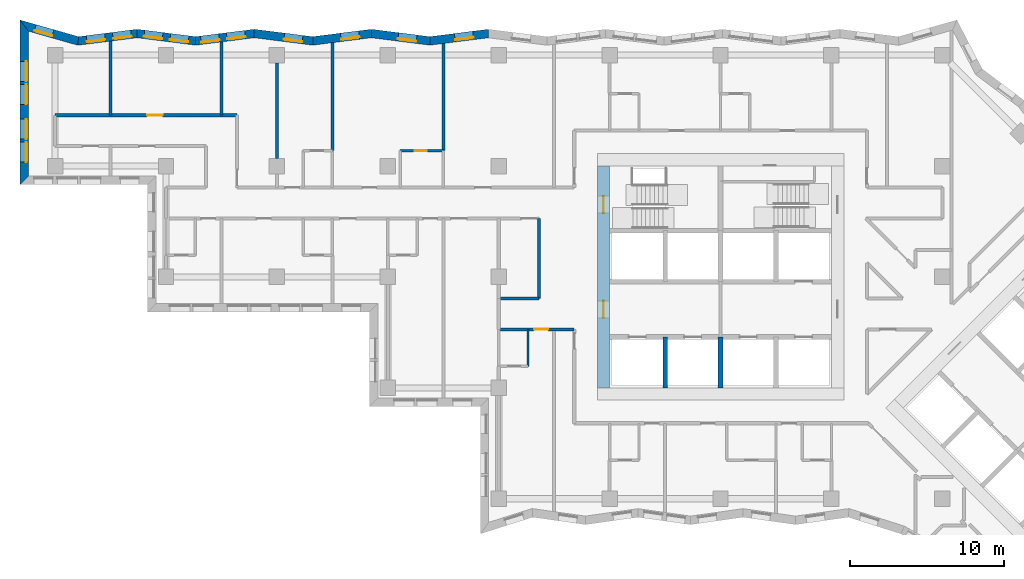
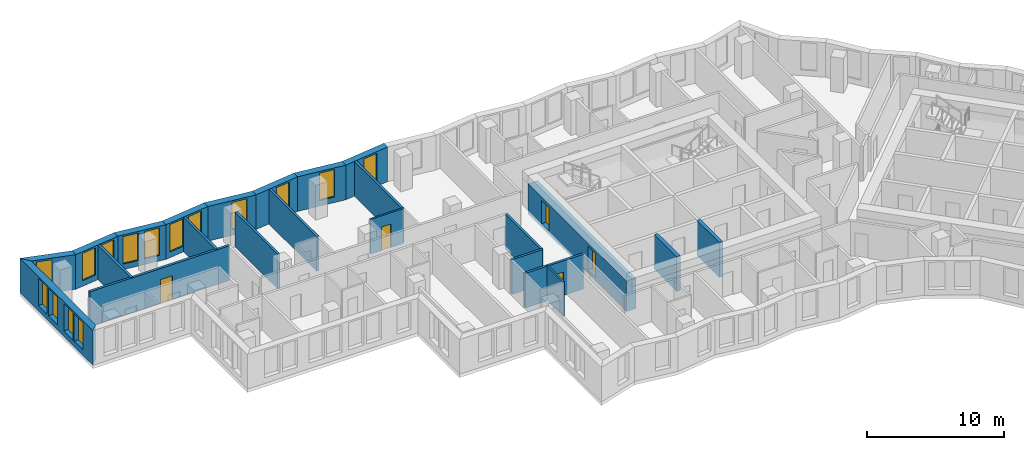
# One storey, part 5 of 13: 23 walls, 15 windows, 5 doors, 20 openings.
"""IFC4 building model written with IfcOpenShell, lengths in metres."""

from ifc_helpers import new_model, si_unit, direction, frame, frame_2d, origin, place, context, subcontext, project, spatial, polyline, rectangle, outline, extrude, material, layer, layer_set, type_object, element, fill, save


model = new_model("IFC4")

# Units and contexts
model_context = context("Model", 3, precision=1e-05, world=origin(), true_north=direction((0.0, 1.0)))
body_context = subcontext(model_context, "Body", "Model", "MODEL_VIEW")
ifc_project = project(units=[si_unit("LENGTHUNIT", "METRE"), si_unit("AREAUNIT", "SQUARE_METRE"), si_unit("VOLUMEUNIT", "CUBIC_METRE"), si_unit("PLANEANGLEUNIT", "RADIAN"), si_unit("MASSUNIT", "GRAM", prefix="KILO")], contexts=[model_context])

# Site, building, storey
site_placement = place(None, origin())
site = spatial("IfcSite", under=ifc_project, at=site_placement, CompositionType="ELEMENT")
building_placement = place(site_placement, origin())
building = spatial("IfcBuilding", under=site, at=building_placement, Name="Windrow Commons", CompositionType="ELEMENT")
storey_placement = place(building_placement, frame((0.0, 0.0, 101.6)))
storey = spatial("IfcBuildingStorey", under=building, at=storey_placement, Name="L27", CompositionType="ELEMENT", Elevation=101.6)

# Wall, opening, window
ifc_material_1 = material(Name="Brick masonry, red clay brick", Category="masonry")
ifc_layer_1 = layer(ifc_material_1, 0.55)
ifc_layer_set_1 = layer_set([ifc_layer_1], Name="Brick facade wall 550")
wall_type_1 = type_object("IfcWallType", Name="Brick facade wall 550", PredefinedType="SOLIDWALL", material=ifc_layer_set_1)
wall_1_placement = place(storey_placement, frame((49.7316, 73.4048, 0.0), z_axis=(0.0, 0.0, 1.0), x_axis=(-0.9920583495, -0.1257785003, 0.0)))
wall_1 = element("IfcWall", 1, at=wall_1_placement, inside=storey, type_object=wall_type_1, Name="Brick facade wall L27 29", PredefinedType="SOLIDWALL", context=body_context, shape_type="SweptSolid", body=[
    extrude(outline(polyline([(-0.0349, -0.275), (3.7973, -0.275), (3.867, 0.275), (0.0349, 0.275), (-0.0349, -0.275)])), origin(), (0.0, 0.0, 1.0), 3.1),
])
opening_1_placement = place(wall_1_placement, frame((0.995, 0.0, 0.5)))
opening_1 = element("IfcOpeningElement", 2, at=opening_1_placement, cuts=wall_1, Name="Opening W7D", PredefinedType="OPENING", context=body_context, shape_type="SweptSolid", body=[
    extrude(rectangle(XDim=1.2, YDim=2.45, at=frame_2d((0.6, 1.225))), frame((0.0, 0.285, 0.0), z_axis=(0.0, -1.0, 0.0), x_axis=(1.0, 0.0, 0.0)), (0.0, 0.0, 1.0), 0.57),
])
ifc_material_2 = material(Name="Clear float glass in anodised aluminium frame", Category="aluminium")
window_type_1 = type_object("IfcWindowType", Name="Window W7 notch 1200x2450", PartitioningType="SINGLE_PANEL", PredefinedType="WINDOW", material=ifc_material_2)
window_1_placement = place(opening_1_placement, origin())
window_1 = element("IfcWindow", 3, at=window_1_placement, inside=storey, type_object=window_type_1, Name="Window L27 29.1", OverallHeight=2.45, OverallWidth=1.2, PartitioningType="SINGLE_PANEL", PredefinedType="WINDOW", context=body_context, shape_type="SweptSolid", body=[
    extrude(rectangle(XDim=1.2, YDim=2.45, at=frame_2d((0.6, 1.225))), frame((0.0, 0.155, 0.0), z_axis=(0.0, -1.0, 0.0), x_axis=(1.0, 0.0, 0.0)), (0.0, 0.0, 1.0), 0.06),
])
fill(opening_1, window_1)

wall_2_placement = place(storey_placement, frame((45.9299, 72.9228, 0.0), z_axis=(0.0, 0.0, 1.0), x_axis=(-0.9920583495, 0.1257785003, 0.0)))
wall_2 = element("IfcWall", 4, at=wall_2_placement, inside=storey, type_object=wall_type_1, Name="Brick facade wall L27 30", PredefinedType="SOLIDWALL", context=body_context, shape_type="SweptSolid", body=[
    extrude(outline(polyline([(0.0349, -0.275), (3.867, -0.275), (3.7973, 0.275), (-0.0349, 0.275), (0.0349, -0.275)])), origin(), (0.0, 0.0, 1.0), 3.1),
])
opening_2_placement = place(wall_2_placement, frame((0.8759, 0.0, 0.5)))
opening_2 = element("IfcOpeningElement", 5, at=opening_2_placement, cuts=wall_2, Name="Opening W7D", PredefinedType="OPENING", context=body_context, shape_type="SweptSolid", body=[
    extrude(rectangle(XDim=1.2, YDim=2.45, at=frame_2d((0.6, 1.225))), frame((0.0, 0.285, 0.0), z_axis=(0.0, -1.0, 0.0), x_axis=(1.0, 0.0, 0.0)), (0.0, 0.0, 1.0), 0.57),
])
window_2_placement = place(opening_2_placement, origin())
window_2 = element("IfcWindow", 6, at=window_2_placement, inside=storey, type_object=window_type_1, Name="Window L27 30.1", OverallHeight=2.45, OverallWidth=1.2, PartitioningType="SINGLE_PANEL", PredefinedType="WINDOW", context=body_context, shape_type="SweptSolid", body=[
    extrude(rectangle(XDim=1.2, YDim=2.45, at=frame_2d((0.6, 1.225))), frame((0.0, 0.155, 0.0), z_axis=(0.0, -1.0, 0.0), x_axis=(1.0, 0.0, 0.0)), (0.0, 0.0, 1.0), 0.06),
])
fill(opening_2, window_2)

wall_3_placement = place(storey_placement, frame((42.1282, 73.4048, 0.0), z_axis=(0.0, 0.0, 1.0), x_axis=(-0.9920583495, -0.1257785003, 0.0)))
wall_3 = element("IfcWall", 7, at=wall_3_placement, inside=storey, type_object=wall_type_1, Name="Brick facade wall L27 31", PredefinedType="SOLIDWALL", context=body_context, shape_type="SweptSolid", body=[
    extrude(outline(polyline([(-0.0349, -0.275), (3.7973, -0.275), (3.867, 0.275), (0.0349, 0.275), (-0.0349, -0.275)])), origin(), (0.0, 0.0, 1.0), 3.1),
])
opening_3_placement = place(wall_3_placement, frame((0.7917, 0.0, 0.5)))
opening_3 = element("IfcOpeningElement", 8, at=opening_3_placement, cuts=wall_3, Name="Opening W7D", PredefinedType="OPENING", context=body_context, shape_type="SweptSolid", body=[
    extrude(rectangle(XDim=1.2, YDim=2.45, at=frame_2d((0.6, 1.225))), frame((0.0, 0.285, 0.0), z_axis=(0.0, -1.0, 0.0), x_axis=(1.0, 0.0, 0.0)), (0.0, 0.0, 1.0), 0.57),
])
window_3_placement = place(opening_3_placement, origin())
window_3 = element("IfcWindow", 9, at=window_3_placement, inside=storey, type_object=window_type_1, Name="Window L27 31.1", OverallHeight=2.45, OverallWidth=1.2, PartitioningType="SINGLE_PANEL", PredefinedType="WINDOW", context=body_context, shape_type="SweptSolid", body=[
    extrude(rectangle(XDim=1.2, YDim=2.45, at=frame_2d((0.6, 1.225))), frame((0.0, 0.155, 0.0), z_axis=(0.0, -1.0, 0.0), x_axis=(1.0, 0.0, 0.0)), (0.0, 0.0, 1.0), 0.06),
])
fill(opening_3, window_3)

wall_4_placement = place(storey_placement, frame((38.3265, 72.9228, 0.0), z_axis=(0.0, 0.0, 1.0), x_axis=(-0.9920583495, 0.1257785003, 0.0)))
wall_4 = element("IfcWall", 10, at=wall_4_placement, inside=storey, type_object=wall_type_1, Name="Brick facade wall L27 32", PredefinedType="SOLIDWALL", context=body_context, shape_type="SweptSolid", body=[
    extrude(outline(polyline([(0.0349, -0.275), (3.867, -0.275), (3.7973, 0.275), (-0.0349, 0.275), (0.0349, -0.275)])), origin(), (0.0, 0.0, 1.0), 3.1),
])
opening_4_placement = place(wall_4_placement, frame((0.6726, 0.0, 0.5)))
opening_4 = element("IfcOpeningElement", 11, at=opening_4_placement, cuts=wall_4, Name="Opening W7D", PredefinedType="OPENING", context=body_context, shape_type="SweptSolid", body=[
    extrude(rectangle(XDim=1.2, YDim=2.45, at=frame_2d((0.6, 1.225))), frame((0.0, 0.285, 0.0), z_axis=(0.0, -1.0, 0.0), x_axis=(1.0, 0.0, 0.0)), (0.0, 0.0, 1.0), 0.57),
])
window_4_placement = place(opening_4_placement, origin())
window_4 = element("IfcWindow", 12, at=window_4_placement, inside=storey, type_object=window_type_1, Name="Window L27 32.1", OverallHeight=2.45, OverallWidth=1.2, PartitioningType="SINGLE_PANEL", PredefinedType="WINDOW", context=body_context, shape_type="SweptSolid", body=[
    extrude(rectangle(XDim=1.2, YDim=2.45, at=frame_2d((0.6, 1.225))), frame((0.0, 0.155, 0.0), z_axis=(0.0, -1.0, 0.0), x_axis=(1.0, 0.0, 0.0)), (0.0, 0.0, 1.0), 0.06),
])
fill(opening_4, window_4)

# Wall, openings, windows
wall_5_placement = place(storey_placement, frame((34.5248, 73.4048, 0.0), z_axis=(0.0, 0.0, 1.0), x_axis=(-0.9920583495, -0.1257785003, 0.0)))
wall_5 = element("IfcWall", 13, at=wall_5_placement, inside=storey, type_object=wall_type_1, Name="Brick facade wall L27 33", PredefinedType="SOLIDWALL", context=body_context, shape_type="SweptSolid", body=[
    extrude(outline(polyline([(-0.0349, -0.275), (3.7973, -0.275), (3.867, 0.275), (0.0349, 0.275), (-0.0349, -0.275)])), origin(), (0.0, 0.0, 1.0), 3.1),
])
opening_5_placement = place(wall_5_placement, frame((0.5883, 0.0, 0.5)))
opening_5 = element("IfcOpeningElement", 14, at=opening_5_placement, cuts=wall_5, Name="Opening W7D", PredefinedType="OPENING", context=body_context, shape_type="SweptSolid", body=[
    extrude(rectangle(XDim=1.2, YDim=2.45, at=frame_2d((0.6, 1.225))), frame((0.0, 0.285, 0.0), z_axis=(0.0, -1.0, 0.0), x_axis=(1.0, 0.0, 0.0)), (0.0, 0.0, 1.0), 0.57),
])
opening_6_placement = place(wall_5_placement, frame((2.287, 0.0, 0.5)))
opening_6 = element("IfcOpeningElement", 15, at=opening_6_placement, cuts=wall_5, Name="Opening W7D", PredefinedType="OPENING", context=body_context, shape_type="SweptSolid", body=[
    extrude(rectangle(XDim=1.2, YDim=2.45, at=frame_2d((0.6, 1.225))), frame((0.0, 0.285, 0.0), z_axis=(0.0, -1.0, 0.0), x_axis=(1.0, 0.0, 0.0)), (0.0, 0.0, 1.0), 0.57),
])
window_5_placement = place(opening_5_placement, origin())
window_5 = element("IfcWindow", 16, at=window_5_placement, inside=storey, type_object=window_type_1, Name="Window L27 33.1", OverallHeight=2.45, OverallWidth=1.2, PartitioningType="SINGLE_PANEL", PredefinedType="WINDOW", context=body_context, shape_type="SweptSolid", body=[
    extrude(rectangle(XDim=1.2, YDim=2.45, at=frame_2d((0.6, 1.225))), frame((0.0, 0.155, 0.0), z_axis=(0.0, -1.0, 0.0), x_axis=(1.0, 0.0, 0.0)), (0.0, 0.0, 1.0), 0.06),
])
fill(opening_5, window_5)
window_6_placement = place(opening_6_placement, origin())
window_6 = element("IfcWindow", 17, at=window_6_placement, inside=storey, type_object=window_type_1, Name="Window L27 33.2", OverallHeight=2.45, OverallWidth=1.2, PartitioningType="SINGLE_PANEL", PredefinedType="WINDOW", context=body_context, shape_type="SweptSolid", body=[
    extrude(rectangle(XDim=1.2, YDim=2.45, at=frame_2d((0.6, 1.225))), frame((0.0, 0.155, 0.0), z_axis=(0.0, -1.0, 0.0), x_axis=(1.0, 0.0, 0.0)), (0.0, 0.0, 1.0), 0.06),
])
fill(opening_6, window_6)

wall_6_placement = place(storey_placement, frame((30.7231, 72.9228, 0.0), z_axis=(0.0, 0.0, 1.0), x_axis=(-0.9920583495, 0.1257785003, 0.0)))
wall_6 = element("IfcWall", 18, at=wall_6_placement, inside=storey, type_object=wall_type_1, Name="Brick facade wall L27 34", PredefinedType="SOLIDWALL", context=body_context, shape_type="SweptSolid", body=[
    extrude(outline(polyline([(0.0349, -0.275), (3.867, -0.275), (3.7973, 0.275), (-0.0349, 0.275), (0.0349, -0.275)])), origin(), (0.0, 0.0, 1.0), 3.1),
])
opening_7_placement = place(wall_6_placement, frame((0.4693, 0.0, 0.5)))
opening_7 = element("IfcOpeningElement", 19, at=opening_7_placement, cuts=wall_6, Name="Opening W7D", PredefinedType="OPENING", context=body_context, shape_type="SweptSolid", body=[
    extrude(rectangle(XDim=1.2, YDim=2.45, at=frame_2d((0.6, 1.225))), frame((0.0, 0.285, 0.0), z_axis=(0.0, -1.0, 0.0), x_axis=(1.0, 0.0, 0.0)), (0.0, 0.0, 1.0), 0.57),
])
opening_8_placement = place(wall_6_placement, frame((2.1679, 0.0, 0.5)))
opening_8 = element("IfcOpeningElement", 20, at=opening_8_placement, cuts=wall_6, Name="Opening W7D", PredefinedType="OPENING", context=body_context, shape_type="SweptSolid", body=[
    extrude(rectangle(XDim=1.2, YDim=2.45, at=frame_2d((0.6, 1.225))), frame((0.0, 0.285, 0.0), z_axis=(0.0, -1.0, 0.0), x_axis=(1.0, 0.0, 0.0)), (0.0, 0.0, 1.0), 0.57),
])
window_7_placement = place(opening_7_placement, origin())
window_7 = element("IfcWindow", 21, at=window_7_placement, inside=storey, type_object=window_type_1, Name="Window L27 34.1", OverallHeight=2.45, OverallWidth=1.2, PartitioningType="SINGLE_PANEL", PredefinedType="WINDOW", context=body_context, shape_type="SweptSolid", body=[
    extrude(rectangle(XDim=1.2, YDim=2.45, at=frame_2d((0.6, 1.225))), frame((0.0, 0.155, 0.0), z_axis=(0.0, -1.0, 0.0), x_axis=(1.0, 0.0, 0.0)), (0.0, 0.0, 1.0), 0.06),
])
fill(opening_7, window_7)
window_8_placement = place(opening_8_placement, origin())
window_8 = element("IfcWindow", 22, at=window_8_placement, inside=storey, type_object=window_type_1, Name="Window L27 34.2", OverallHeight=2.45, OverallWidth=1.2, PartitioningType="SINGLE_PANEL", PredefinedType="WINDOW", context=body_context, shape_type="SweptSolid", body=[
    extrude(rectangle(XDim=1.2, YDim=2.45, at=frame_2d((0.6, 1.225))), frame((0.0, 0.155, 0.0), z_axis=(0.0, -1.0, 0.0), x_axis=(1.0, 0.0, 0.0)), (0.0, 0.0, 1.0), 0.06),
])
fill(opening_8, window_8)

wall_7_placement = place(storey_placement, frame((26.9214, 73.4048, 0.0), z_axis=(0.0, 0.0, 1.0), x_axis=(-0.9920579561, -0.1257816033, 0.0)))
wall_7 = element("IfcWall", 23, at=wall_7_placement, inside=storey, type_object=wall_type_1, Name="Brick facade wall L27 35", PredefinedType="SOLIDWALL", context=body_context, shape_type="SweptSolid", body=[
    extrude(outline(polyline([(-0.0349, -0.275), (3.7973, -0.275), (3.9097, 0.275), (0.0349, 0.275), (-0.0349, -0.275)])), origin(), (0.0, 0.0, 1.0), 3.1),
])
opening_9_placement = place(wall_7_placement, frame((0.385, 0.0, 0.5)))
opening_9 = element("IfcOpeningElement", 24, at=opening_9_placement, cuts=wall_7, Name="Opening W7D", PredefinedType="OPENING", context=body_context, shape_type="SweptSolid", body=[
    extrude(rectangle(XDim=1.2, YDim=2.45, at=frame_2d((0.6, 1.225))), frame((0.0, 0.285, 0.0), z_axis=(0.0, -1.0, 0.0), x_axis=(1.0, 0.0, 0.0)), (0.0, 0.0, 1.0), 0.57),
])
opening_10_placement = place(wall_7_placement, frame((2.0943, 0.0, 0.5)))
opening_10 = element("IfcOpeningElement", 25, at=opening_10_placement, cuts=wall_7, Name="Opening W7D", PredefinedType="OPENING", context=body_context, shape_type="SweptSolid", body=[
    extrude(rectangle(XDim=1.2, YDim=2.45, at=frame_2d((0.6, 1.225))), frame((0.0, 0.285, 0.0), z_axis=(0.0, -1.0, 0.0), x_axis=(1.0, 0.0, 0.0)), (0.0, 0.0, 1.0), 0.57),
])
window_9_placement = place(opening_9_placement, origin())
window_9 = element("IfcWindow", 26, at=window_9_placement, inside=storey, type_object=window_type_1, Name="Window L27 35.1", OverallHeight=2.45, OverallWidth=1.2, PartitioningType="SINGLE_PANEL", PredefinedType="WINDOW", context=body_context, shape_type="SweptSolid", body=[
    extrude(rectangle(XDim=1.2, YDim=2.45, at=frame_2d((0.6, 1.225))), frame((0.0, 0.155, 0.0), z_axis=(0.0, -1.0, 0.0), x_axis=(1.0, 0.0, 0.0)), (0.0, 0.0, 1.0), 0.06),
])
fill(opening_9, window_9)
window_10_placement = place(opening_10_placement, origin())
window_10 = element("IfcWindow", 27, at=window_10_placement, inside=storey, type_object=window_type_1, Name="Window L27 35.2", OverallHeight=2.45, OverallWidth=1.2, PartitioningType="SINGLE_PANEL", PredefinedType="WINDOW", context=body_context, shape_type="SweptSolid", body=[
    extrude(rectangle(XDim=1.2, YDim=2.45, at=frame_2d((0.6, 1.225))), frame((0.0, 0.155, 0.0), z_axis=(0.0, -1.0, 0.0), x_axis=(1.0, 0.0, 0.0)), (0.0, 0.0, 1.0), 0.06),
])
fill(opening_10, window_10)

# Wall, opening, window
wall_8_placement = place(storey_placement, frame((23.0985, 72.9201, 0.0), z_axis=(0.0, 0.0, 1.0), x_axis=(-0.9618040283, 0.2737389471, 0.0)))
wall_8 = element("IfcWall", 28, at=wall_8_placement, inside=storey, type_object=wall_type_1, Name="Brick facade wall L27 36", PredefinedType="SOLIDWALL", context=body_context, shape_type="SweptSolid", body=[
    extrude(outline(polyline([(0.0562, -0.275), (4.0089, -0.275), (3.2805, 0.275), (-0.0562, 0.275), (0.0562, -0.275)])), origin(), (0.0, 0.0, 1.0), 3.1),
])
opening_11_placement = place(wall_8_placement, frame((1.7193, 0.0, 0.5)))
opening_11 = element("IfcOpeningElement", 29, at=opening_11_placement, cuts=wall_8, Name="Opening W7D", PredefinedType="OPENING", context=body_context, shape_type="SweptSolid", body=[
    extrude(rectangle(XDim=1.2, YDim=2.45, at=frame_2d((0.6, 1.225))), frame((0.0, 0.285, 0.0), z_axis=(0.0, -1.0, 0.0), x_axis=(1.0, 0.0, 0.0)), (0.0, 0.0, 1.0), 0.57),
])
window_11_placement = place(opening_11_placement, origin())
window_11 = element("IfcWindow", 30, at=window_11_placement, inside=storey, type_object=window_type_1, Name="Window L27 36.1", OverallHeight=2.45, OverallWidth=1.2, PartitioningType="SINGLE_PANEL", PredefinedType="WINDOW", context=body_context, shape_type="SweptSolid", body=[
    extrude(rectangle(XDim=1.2, YDim=2.45, at=frame_2d((0.6, 1.225))), frame((0.0, 0.155, 0.0), z_axis=(0.0, -1.0, 0.0), x_axis=(1.0, 0.0, 0.0)), (0.0, 0.0, 1.0), 0.06),
])
fill(opening_11, window_11)

# Wall, openings, windows
wall_9_placement = place(storey_placement, frame((19.593, 73.9178, 0.0), z_axis=(0.0, 0.0, 1.0), x_axis=(0.0, -1.0, 0.0)))
wall_9 = element("IfcWall", 31, at=wall_9_placement, inside=storey, type_object=wall_type_1, Name="Brick facade wall L27 37", PredefinedType="SOLIDWALL", context=body_context, shape_type="SweptSolid", body=[
    extrude(outline(polyline([(-0.3642, -0.275), (10.3178, -0.275), (9.7678, 0.275), (0.3642, 0.275), (-0.3642, -0.275)])), origin(), (0.0, 0.0, 1.0), 3.1),
])
opening_12_placement = place(wall_9_placement, frame((2.3178, 0.0, 0.5)))
opening_12 = element("IfcOpeningElement", 32, at=opening_12_placement, cuts=wall_9, Name="Opening W1P", PredefinedType="OPENING", context=body_context, shape_type="SweptSolid", body=[
    extrude(rectangle(XDim=1.3, YDim=2.45, at=frame_2d((0.65, 1.225))), frame((0.0, 0.285, 0.0), z_axis=(0.0, -1.0, 0.0), x_axis=(1.0, 0.0, 0.0)), (0.0, 0.0, 1.0), 0.57),
])
opening_13_placement = place(wall_9_placement, frame((3.8178, 0.0, 0.5)))
opening_13 = element("IfcOpeningElement", 33, at=opening_13_placement, cuts=wall_9, Name="Opening W1P", PredefinedType="OPENING", context=body_context, shape_type="SweptSolid", body=[
    extrude(rectangle(XDim=1.3, YDim=2.45, at=frame_2d((0.65, 1.225))), frame((0.0, 0.285, 0.0), z_axis=(0.0, -1.0, 0.0), x_axis=(1.0, 0.0, 0.0)), (0.0, 0.0, 1.0), 0.57),
])
opening_14_placement = place(wall_9_placement, frame((6.0678, 0.0, 0.5)))
opening_14 = element("IfcOpeningElement", 34, at=opening_14_placement, cuts=wall_9, Name="Opening W1P", PredefinedType="OPENING", context=body_context, shape_type="SweptSolid", body=[
    extrude(rectangle(XDim=1.3, YDim=2.45, at=frame_2d((0.65, 1.225))), frame((0.0, 0.285, 0.0), z_axis=(0.0, -1.0, 0.0), x_axis=(1.0, 0.0, 0.0)), (0.0, 0.0, 1.0), 0.57),
])
opening_15_placement = place(wall_9_placement, frame((7.5678, 0.0, 0.5)))
opening_15 = element("IfcOpeningElement", 35, at=opening_15_placement, cuts=wall_9, Name="Opening W1P", PredefinedType="OPENING", context=body_context, shape_type="SweptSolid", body=[
    extrude(rectangle(XDim=1.3, YDim=2.45, at=frame_2d((0.65, 1.225))), frame((0.0, 0.285, 0.0), z_axis=(0.0, -1.0, 0.0), x_axis=(1.0, 0.0, 0.0)), (0.0, 0.0, 1.0), 0.57),
])
ifc_material_3 = material(Name="Clear float glass in anodised aluminium frame", Category="aluminium")
window_type_2 = type_object("IfcWindowType", Name="Window W1P pair 1300x2450", PartitioningType="SINGLE_PANEL", PredefinedType="WINDOW", material=ifc_material_3)
window_12_placement = place(opening_12_placement, origin())
window_12 = element("IfcWindow", 36, at=window_12_placement, inside=storey, type_object=window_type_2, Name="Window L27 37.1A", OverallHeight=2.45, OverallWidth=1.3, PartitioningType="SINGLE_PANEL", PredefinedType="WINDOW", context=body_context, shape_type="SweptSolid", body=[
    extrude(rectangle(XDim=1.3, YDim=2.45, at=frame_2d((0.65, 1.225))), frame((0.0, 0.155, 0.0), z_axis=(0.0, -1.0, 0.0), x_axis=(1.0, 0.0, 0.0)), (0.0, 0.0, 1.0), 0.06),
])
fill(opening_12, window_12)
window_13_placement = place(opening_13_placement, origin())
window_13 = element("IfcWindow", 37, at=window_13_placement, inside=storey, type_object=window_type_2, Name="Window L27 37.1B", OverallHeight=2.45, OverallWidth=1.3, PartitioningType="SINGLE_PANEL", PredefinedType="WINDOW", context=body_context, shape_type="SweptSolid", body=[
    extrude(rectangle(XDim=1.3, YDim=2.45, at=frame_2d((0.65, 1.225))), frame((0.0, 0.155, 0.0), z_axis=(0.0, -1.0, 0.0), x_axis=(1.0, 0.0, 0.0)), (0.0, 0.0, 1.0), 0.06),
])
fill(opening_13, window_13)
window_14_placement = place(opening_14_placement, origin())
window_14 = element("IfcWindow", 38, at=window_14_placement, inside=storey, type_object=window_type_2, Name="Window L27 37.2A", OverallHeight=2.45, OverallWidth=1.3, PartitioningType="SINGLE_PANEL", PredefinedType="WINDOW", context=body_context, shape_type="SweptSolid", body=[
    extrude(rectangle(XDim=1.3, YDim=2.45, at=frame_2d((0.65, 1.225))), frame((0.0, 0.155, 0.0), z_axis=(0.0, -1.0, 0.0), x_axis=(1.0, 0.0, 0.0)), (0.0, 0.0, 1.0), 0.06),
])
fill(opening_14, window_14)
window_15_placement = place(opening_15_placement, origin())
window_15 = element("IfcWindow", 39, at=window_15_placement, inside=storey, type_object=window_type_2, Name="Window L27 37.2B", OverallHeight=2.45, OverallWidth=1.3, PartitioningType="SINGLE_PANEL", PredefinedType="WINDOW", context=body_context, shape_type="SweptSolid", body=[
    extrude(rectangle(XDim=1.3, YDim=2.45, at=frame_2d((0.65, 1.225))), frame((0.0, 0.155, 0.0), z_axis=(0.0, -1.0, 0.0), x_axis=(1.0, 0.0, 0.0)), (0.0, 0.0, 1.0), 0.06),
])
fill(opening_15, window_15)

# Wall, opening, door
ifc_material_4 = material(Name="Blockwork partition", Category="masonry")
ifc_layer_2 = layer(ifc_material_4, 0.2)
ifc_layer_set_2 = layer_set([ifc_layer_2], Name="IW-CORRIDOR-200")
wall_type_2 = type_object("IfcWallType", Name="IW-CORRIDOR-200", PredefinedType="PARTITIONING", material=ifc_layer_set_2)
wall_10_placement = place(storey_placement, frame((21.602, 68.1, 0.0), z_axis=(0.0, 0.0, 1.0), x_axis=(1.0, 0.0, 0.0)))
wall_10 = element("IfcWall", 40, at=wall_10_placement, inside=storey, type_object=wall_type_2, Name="W-L27-W008", PredefinedType="PARTITIONING", context=body_context, shape_type="SweptSolid", body=[
    extrude(rectangle(XDim=11.798, YDim=0.2, at=frame_2d((5.899, 0.0))), origin(), (0.0, 0.0, 1.0), 3.1),
])
opening_16_placement = place(wall_10_placement, frame((5.9717, 0.0, 0.0)))
opening_16 = element("IfcOpeningElement", 41, at=opening_16_placement, cuts=wall_10, Name="Opening D310F", PredefinedType="OPENING", context=body_context, shape_type="SweptSolid", body=[
    extrude(rectangle(XDim=1.0, YDim=2.1, at=frame_2d((0.5, 1.05))), frame((0.0, 0.11, 0.0), z_axis=(0.0, -1.0, 0.0), x_axis=(1.0, 0.0, 0.0)), (0.0, 0.0, 1.0), 0.22),
])
ifc_material_5 = material(Name="Timber door leaf", Category="wood")
door_type_1 = type_object("IfcDoorType", Name="DT-AMENITY-1000", OperationType="SINGLE_SWING_LEFT", PredefinedType="DOOR", material=ifc_material_5)
door_1_placement = place(opening_16_placement, origin())
door_1 = element("IfcDoor", 42, at=door_1_placement, inside=storey, type_object=door_type_1, Name="D-L27-D003", OperationType="SINGLE_SWING_LEFT", OverallHeight=2.1, OverallWidth=1.0, PredefinedType="DOOR", context=body_context, shape_type="SweptSolid", body=[
    extrude(rectangle(XDim=1.0, YDim=2.1, at=frame_2d((0.5, 1.05))), frame((0.0, 0.025, 0.0), z_axis=(0.0, -1.0, 0.0), x_axis=(1.0, 0.0, 0.0)), (0.0, 0.0, 1.0), 0.05),
])
fill(opening_16, door_1)

# Wall
wall_11_placement = place(storey_placement, frame((53.0, 56.202, 0.0), z_axis=(0.0, 0.0, 1.0), x_axis=(0.0, 1.0, 0.0)))
element("IfcWall", 43, at=wall_11_placement, inside=storey, type_object=wall_type_2, Name="W-L27-W037", PredefinedType="PARTITIONING", context=body_context, shape_type="SweptSolid", body=[
    extrude(rectangle(XDim=5.198, YDim=0.2, at=frame_2d((2.599, 0.0))), origin(), (0.0, 0.0, 1.0), 3.1),
])

# Wall, opening, door
wall_12_placement = place(storey_placement, frame((50.4, 54.2, 0.0), z_axis=(0.0, 0.0, 1.0), x_axis=(1.0, 0.0, 0.0)))
wall_12 = element("IfcWall", 44, at=wall_12_placement, inside=storey, type_object=wall_type_2, Name="W-L27-W039", PredefinedType="PARTITIONING", context=body_context, shape_type="SweptSolid", body=[
    extrude(rectangle(XDim=4.9, YDim=0.2, at=frame_2d((2.45, 0.0))), origin(), (0.0, 0.0, 1.0), 3.1),
])
opening_17_placement = place(wall_12_placement, frame((2.3, 0.0, 0.0)))
opening_17 = element("IfcOpeningElement", 45, at=opening_17_placement, cuts=wall_12, Name="Opening D109S", PredefinedType="OPENING", context=body_context, shape_type="SweptSolid", body=[
    extrude(rectangle(XDim=0.9, YDim=2.1, at=frame_2d((0.45, 1.05))), frame((0.0, 0.11, 0.0), z_axis=(0.0, -1.0, 0.0), x_axis=(1.0, 0.0, 0.0)), (0.0, 0.0, 1.0), 0.22),
])
ifc_material_6 = material(Name="Timber door leaf", Category="wood")
door_type_2 = type_object("IfcDoorType", Name="DT-BEDROOM-900", OperationType="SINGLE_SWING_LEFT", PredefinedType="DOOR", material=ifc_material_6)
door_2_placement = place(opening_17_placement, origin())
door_2 = element("IfcDoor", 46, at=door_2_placement, inside=storey, type_object=door_type_2, Name="D-L27-D021", OperationType="SINGLE_SWING_LEFT", OverallHeight=2.1, OverallWidth=0.9, PredefinedType="DOOR", context=body_context, shape_type="SweptSolid", body=[
    extrude(rectangle(XDim=0.9, YDim=2.1, at=frame_2d((0.45, 1.05))), frame((0.0, 0.025, 0.0), z_axis=(0.0, -1.0, 0.0), x_axis=(1.0, 0.0, 0.0)), (0.0, 0.0, 1.0), 0.05),
])
fill(opening_17, door_2)

# Wall
wall_13_placement = place(storey_placement, frame((50.4, 56.2, 0.0), z_axis=(0.0, 0.0, 1.0), x_axis=(1.0, 0.0, 0.0)))
element("IfcWall", 47, at=wall_13_placement, inside=storey, type_object=wall_type_2, Name="W-L27-W062", PredefinedType="PARTITIONING", context=body_context, shape_type="SweptSolid", body=[
    extrude(rectangle(XDim=2.6, YDim=0.2, at=frame_2d((1.3, 0.0))), origin(), (0.0, 0.0, 1.0), 3.1),
])

# Wall, opening, door
ifc_material_7 = material(Name="Blockwork partition", Category="masonry")
ifc_layer_3 = layer(ifc_material_7, 0.15)
ifc_layer_set_3 = layer_set([ifc_layer_3], Name="IW-ENSUITE-150")
wall_type_3 = type_object("IfcWallType", Name="IW-ENSUITE-150", PredefinedType="PARTITIONING", material=ifc_layer_set_3)
wall_14_placement = place(storey_placement, frame((44.0, 65.8, 0.0), z_axis=(0.0, 0.0, 1.0), x_axis=(1.0, 0.0, 0.0)))
wall_14 = element("IfcWall", 48, at=wall_14_placement, inside=storey, type_object=wall_type_3, Name="W-L27-W060", PredefinedType="PARTITIONING", context=body_context, shape_type="SweptSolid", body=[
    extrude(rectangle(XDim=2.8, YDim=0.15, at=frame_2d((1.4, 0.0))), origin(), (0.0, 0.0, 1.0), 3.1),
])
opening_18_placement = place(wall_14_placement, frame((0.94, 0.0, 0.0)))
opening_18 = element("IfcOpeningElement", 49, at=opening_18_placement, cuts=wall_14, Name="Opening D208N", PredefinedType="OPENING", context=body_context, shape_type="SweptSolid", body=[
    extrude(rectangle(XDim=0.8, YDim=2.1, at=frame_2d((0.4, 1.05))), frame((0.0, 0.085, 0.0), z_axis=(0.0, -1.0, 0.0), x_axis=(1.0, 0.0, 0.0)), (0.0, 0.0, 1.0), 0.17),
])
ifc_material_8 = material(Name="Timber door leaf", Category="wood")
door_type_3 = type_object("IfcDoorType", Name="DT-ENSUITE-800", OperationType="SINGLE_SWING_LEFT", PredefinedType="DOOR", material=ifc_material_8)
door_3_placement = place(opening_18_placement, origin())
door_3 = element("IfcDoor", 50, at=door_3_placement, inside=storey, type_object=door_type_3, Name="D-L27-D012", OperationType="SINGLE_SWING_RIGHT", OverallHeight=2.1, OverallWidth=0.8, PredefinedType="DOOR", context=body_context, shape_type="SweptSolid", body=[
    extrude(rectangle(XDim=0.8, YDim=2.1, at=frame_2d((0.4, 1.05))), frame((0.0, 0.025, 0.0), z_axis=(0.0, -1.0, 0.0), x_axis=(1.0, 0.0, 0.0)), (0.0, 0.0, 1.0), 0.05),
])
fill(opening_18, door_3)

# Walls
wall_15_placement = place(storey_placement, frame((52.3, 51.8, 0.0), z_axis=(0.0, 0.0, 1.0), x_axis=(0.0, 1.0, 0.0)))
element("IfcWall", 51, at=wall_15_placement, inside=storey, type_object=wall_type_3, Name="W-L27-W070", PredefinedType="PARTITIONING", context=body_context, shape_type="SweptSolid", body=[
    extrude(rectangle(XDim=2.4, YDim=0.15, at=frame_2d((1.2, 0.0))), origin(), (0.0, 0.0, 1.0), 3.1),
])
ifc_material_9 = material(Name="Blockwork partition", Category="masonry")
ifc_layer_4 = layer(ifc_material_9, 0.2)
ifc_layer_set_4 = layer_set([ifc_layer_4], Name="IW-PARTY-200")
wall_type_4 = type_object("IfcWallType", Name="IW-PARTY-200", PredefinedType="PARTITIONING", material=ifc_layer_set_4)
wall_16_placement = place(storey_placement, frame((39.6, 65.8, 0.0), z_axis=(0.0, 0.0, 1.0), x_axis=(0.0, 1.0, 0.0)))
element("IfcWall", 52, at=wall_16_placement, inside=storey, type_object=wall_type_4, Name="W-L27-W020", PredefinedType="PARTITIONING", context=body_context, shape_type="SweptSolid", body=[
    extrude(rectangle(XDim=7.0071, YDim=0.2, at=frame_2d((3.5036, 0.0))), origin(), (0.0, 0.0, 1.0), 3.1),
])
wall_17_placement = place(storey_placement, frame((46.8, 65.8, 0.0), z_axis=(0.0, 0.0, 1.0), x_axis=(0.0, 1.0, 0.0)))
element("IfcWall", 53, at=wall_17_placement, inside=storey, type_object=wall_type_4, Name="W-L27-W021", PredefinedType="PARTITIONING", context=body_context, shape_type="SweptSolid", body=[
    extrude(rectangle(XDim=6.9559, YDim=0.2, at=frame_2d((3.4779, 0.0))), origin(), (0.0, 0.0, 1.0), 3.1),
])
wall_18_placement = place(storey_placement, frame((36.0, 65.3, 0.0), z_axis=(0.0, 0.0, 1.0), x_axis=(0.0, 1.0, 0.0)))
element("IfcWall", 54, at=wall_18_placement, inside=storey, type_object=wall_type_4, Name="W-L27-W024", PredefinedType="PARTITIONING", context=body_context, shape_type="SweptSolid", body=[
    extrude(rectangle(XDim=6.2, YDim=0.2, at=frame_2d((3.1, 0.0))), origin(), (0.0, 0.0, 1.0), 3.1),
])
wall_19_placement = place(storey_placement, frame((25.2, 68.1, 0.0), z_axis=(0.0, 0.0, 1.0), x_axis=(0.0, 1.0, 0.0)))
element("IfcWall", 55, at=wall_19_placement, inside=storey, type_object=wall_type_4, Name="W-L27-W041", PredefinedType="PARTITIONING", context=body_context, shape_type="SweptSolid", body=[
    extrude(rectangle(XDim=4.8093, YDim=0.2, at=frame_2d((2.4047, 0.0))), origin(), (0.0, 0.0, 1.0), 3.1),
])
wall_20_placement = place(storey_placement, frame((32.4, 68.1, 0.0), z_axis=(0.0, 0.0, 1.0), x_axis=(0.0, 1.0, 0.0)))
element("IfcWall", 56, at=wall_20_placement, inside=storey, type_object=wall_type_4, Name="W-L27-W042", PredefinedType="PARTITIONING", context=body_context, shape_type="SweptSolid", body=[
    extrude(rectangle(XDim=4.7582, YDim=0.2, at=frame_2d((2.3791, 0.0))), origin(), (0.0, 0.0, 1.0), 3.1),
])

# Wall, openings, doors
ifc_material_10 = material(Name="Concrete C50/60", Category="concrete")
ifc_layer_5 = layer(ifc_material_10, 0.8)
ifc_layer_set_5 = layer_set([ifc_layer_5], Name="RC CORE WALL 800 C50/60")
wall_type_5 = type_object("IfcWallType", Name="RC CORE WALL 800 C50/60", PredefinedType="SHEAR", material=ifc_layer_set_5)
wall_21_placement = place(storey_placement, frame((57.2, 50.4, -0.3), z_axis=(0.0, 0.0, 1.0), x_axis=(0.0, 1.0, 0.0)))
wall_21 = element("IfcWall", 57, at=wall_21_placement, inside=storey, type_object=wall_type_5, Name="Core A wall outer-W", PredefinedType="SHEAR", context=body_context, shape_type="SweptSolid", body=[
    extrude(rectangle(XDim=14.4, YDim=0.8, at=frame_2d((7.2, 0.0))), origin(), (0.0, 0.0, 1.0), 2.7),
])
opening_19_placement = place(wall_21_placement, frame((4.55, 0.0, 0.3)))
opening_19 = element("IfcOpeningElement", 58, at=opening_19_placement, cuts=wall_21, Name="Opening D6", PredefinedType="OPENING", context=body_context, shape_type="SweptSolid", body=[
    extrude(rectangle(XDim=1.1, YDim=2.1, at=frame_2d((0.55, 1.05))), frame((0.0, 0.41, 0.0), z_axis=(0.0, -1.0, 0.0), x_axis=(1.0, 0.0, 0.0)), (0.0, 0.0, 1.0), 0.82),
])
opening_20_placement = place(wall_21_placement, frame((11.35, 0.0, 0.3)))
opening_20 = element("IfcOpeningElement", 59, at=opening_20_placement, cuts=wall_21, Name="Opening D7", PredefinedType="OPENING", context=body_context, shape_type="SweptSolid", body=[
    extrude(rectangle(XDim=1.1, YDim=2.1, at=frame_2d((0.55, 1.05))), frame((0.0, 0.41, 0.0), z_axis=(0.0, -1.0, 0.0), x_axis=(1.0, 0.0, 0.0)), (0.0, 0.0, 1.0), 0.82),
])
ifc_material_11 = material(Name="Steel fire door leaf", Category="steel")
door_type_4 = type_object("IfcDoorType", Name="Core lobby door 1100", OperationType="SINGLE_SWING_LEFT", PredefinedType="DOOR", material=ifc_material_11)
door_4_placement = place(opening_19_placement, origin())
door_4 = element("IfcDoor", 60, at=door_4_placement, inside=storey, type_object=door_type_4, Name="Lift lobby door", OperationType="DOUBLE_DOOR_SINGLE_SWING", OverallHeight=2.1, OverallWidth=1.1, PredefinedType="DOOR", context=body_context, shape_type="SweptSolid", body=[
    extrude(rectangle(XDim=1.1, YDim=2.1, at=frame_2d((0.55, 1.05))), frame((0.0, 0.025, 0.0), z_axis=(0.0, -1.0, 0.0), x_axis=(1.0, 0.0, 0.0)), (0.0, 0.0, 1.0), 0.05),
])
fill(opening_19, door_4)
ifc_material_12 = material(Name="Steel fire door leaf", Category="steel")
door_type_5 = type_object("IfcDoorType", Name="Stair door 1100", OperationType="SINGLE_SWING_LEFT", PredefinedType="DOOR", material=ifc_material_12)
door_5_placement = place(opening_20_placement, origin())
door_5 = element("IfcDoor", 61, at=door_5_placement, inside=storey, type_object=door_type_5, Name="Stair door", OperationType="SINGLE_SWING_LEFT", OverallHeight=2.1, OverallWidth=1.1, PredefinedType="DOOR", context=body_context, shape_type="SweptSolid", body=[
    extrude(rectangle(XDim=1.1, YDim=2.1, at=frame_2d((0.55, 1.05))), frame((0.0, 0.025, 0.0), z_axis=(0.0, -1.0, 0.0), x_axis=(1.0, 0.0, 0.0)), (0.0, 0.0, 1.0), 0.05),
])
fill(opening_20, door_5)

# Walls
ifc_material_13 = material(Name="Concrete C50/60", Category="concrete")
ifc_layer_6 = layer(ifc_material_13, 0.3)
ifc_layer_set_6 = layer_set([ifc_layer_6], Name="RC SHAFT WALL 300 C50/60")
wall_type_6 = type_object("IfcWallType", Name="RC SHAFT WALL 300 C50/60", PredefinedType="SOLIDWALL", material=ifc_layer_set_6)
for number, where, z_axis, x_axis, name in (
    (62, (61.2, 50.4, 0.0), (0.0, 0.0, 1.0), (0.0, 1.0, 0.0), "Core A wall shaft-S1"),
    (63, (64.8, 50.4, 0.0), (0.0, 0.0, 1.0), (0.0, 1.0, 0.0), "Core A wall shaft-S2"),
):
    element("IfcWall", number, at=place(storey_placement, frame(where, z_axis=z_axis, x_axis=x_axis)), inside=storey, type_object=wall_type_6, Name=name, PredefinedType="SOLIDWALL", context=body_context, shape_type="SweptSolid", body=[
        extrude(rectangle(XDim=3.3, YDim=0.3, at=frame_2d((1.65, 0.0))), origin(), (0.0, 0.0, 1.0), 3.1),
    ])

save(model, "model.ifc")
